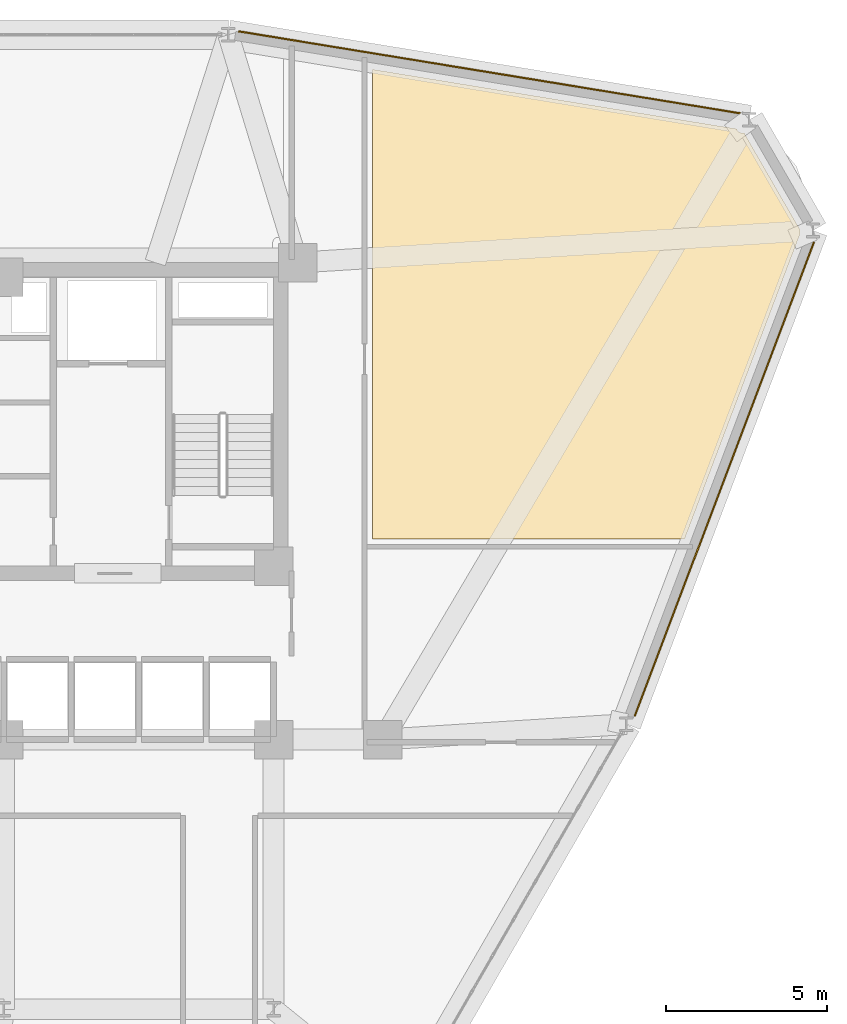
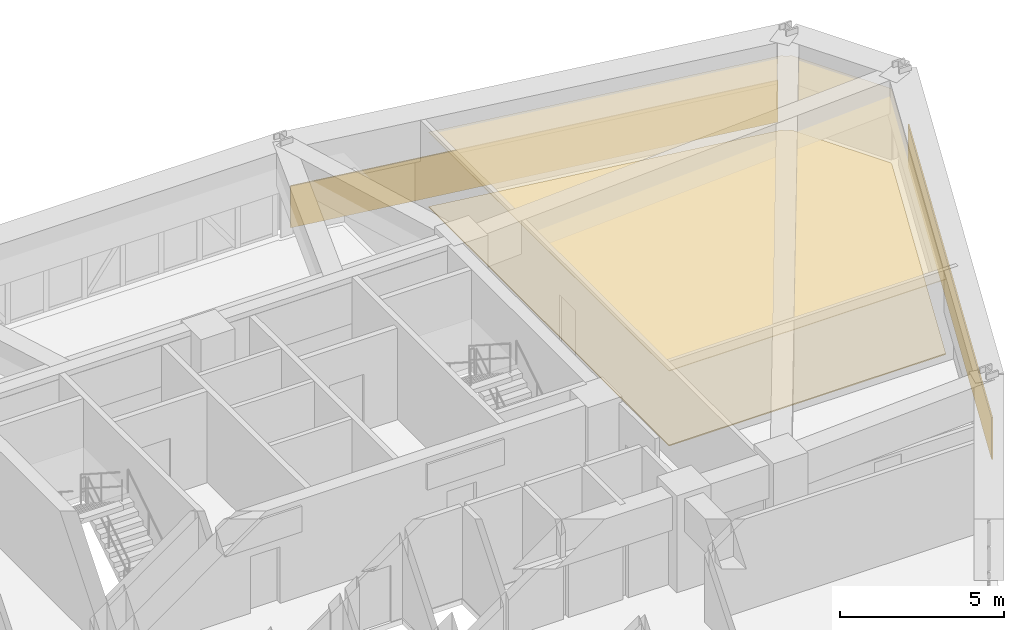
# One storey, part 15 of 15: 4 coverings.
"""IFC4 building model written with IfcOpenShell, lengths in metres."""

from ifc_helpers import new_model, si_unit, derived_unit, direction, frame, origin, place, context, subcontext, project, spatial, polyline, outline, extrude, material, layer, layer_set, type_object, element, save


model = new_model("IFC4")

# Units and contexts
model_context = context("Model", 3, precision=1e-05, world=origin(), true_north=direction((0.0, 1.0)))
body_context = subcontext(model_context, "Body", "Model", "MODEL_VIEW")
ifc_project = project(units=[si_unit("LENGTHUNIT", "METRE"), si_unit("AREAUNIT", "SQUARE_METRE"), si_unit("VOLUMEUNIT", "CUBIC_METRE"), si_unit("PLANEANGLEUNIT", "RADIAN"), si_unit("MASSUNIT", "GRAM", prefix="KILO"), derived_unit("THERMALTRANSMITTANCEUNIT", [(si_unit("POWERUNIT", "WATT"), 1), (si_unit("LENGTHUNIT", "METRE"), -2), (si_unit("THERMODYNAMICTEMPERATUREUNIT", "KELVIN"), -1)])], contexts=[model_context])

# Site, building, storey
site_placement = place(None, origin())
site = spatial("IfcSite", under=ifc_project, at=site_placement, CompositionType="ELEMENT")
building_placement = place(site_placement, origin())
building = spatial("IfcBuilding", under=site, at=building_placement, Name="Korsvarv Bourse and Concert Hall", CompositionType="ELEMENT")
storey_placement = place(building_placement, frame((0.0, 0.0, 117.0)))
storey = spatial("IfcBuildingStorey", under=building, at=storey_placement, Name="L29", CompositionType="ELEMENT", Elevation=117.0)

# Coverings
ifc_material_1 = material(Name="Perforated mineral-wool and birch acoustic baffle ceiling", Category="wood")
ifc_layer_1 = layer(ifc_material_1, 0.02490234375)
ifc_layer_set_1 = layer_set([ifc_layer_1], Name="Perforated mineral-wool and birch acoustic baffle ceiling")
covering_type_1 = type_object("IfcCoveringType", Name="COV-CEIL-1", PredefinedType="CEILING", material=ifc_layer_set_1)
covering_1_placement = place(storey_placement, frame((0.0, 0.0, 2.780029296875)))
element("IfcCovering", 1, at=covering_1_placement, inside=storey, type_object=covering_type_1, Name="L29 acoustic baffle ceiling 1", PredefinedType="CEILING", context=body_context, shape_type="SweptSolid", body=[
    extrude(outline(polyline([(58.816650390625, 51.41259765625), (58.830810546875, 51.379150390625), (58.851318359375, 51.349365234375), (58.877685546875, 51.324462890625), (58.908203125, 51.304931640625), (58.942138671875, 51.292236328125), (58.977783203125, 51.28662109375), (59.052490234375, 51.2822265625), (60.7958984375, 48.262451171875), (60.7958984375, 48.15771484375), (57.199951171875, 38.64990234375), (47.47998046875, 38.64990234375), (47.47998046875, 53.265869140625), (58.816650390625, 51.41259765625)])), origin(), (0.0, 0.0, 1.0), 0.02490234375),
])
ifc_material_2 = material(Name="Warm iron-oxide extruded terracotta rainscreen tile", Category="ceramic")
ifc_layer_2 = layer(ifc_material_2, 0.044921875)
ifc_layer_set_2 = layer_set([ifc_layer_2], Name="Warm iron-oxide extruded terracotta rainscreen tile")
covering_type_2 = type_object("IfcCoveringType", Name="COV-CLD-TC", PredefinedType="CLADDING", material=ifc_layer_set_2)
covering_2_placement = place(storey_placement, origin())
element("IfcCovering", 2, at=covering_2_placement, inside=storey, type_object=covering_type_2, Name="L29 fluted terracotta cladding panel EW-L29-B02", PredefinedType="CLADDING", context=body_context, shape_type="SweptSolid", body=[
    extrude(outline(polyline([(58.936279296875, 51.874755859375), (43.302734375, 54.429931640625), (43.31005859375, 54.474365234375), (58.943603515625, 51.919189453125), (58.936279296875, 51.874755859375)])), origin(), (0.0, 0.0, 1.0), 1.550048828125),
])
covering_3_placement = place(storey_placement, origin())
element("IfcCovering", 3, at=covering_3_placement, inside=storey, type_object=covering_type_2, Name="L29 fluted terracotta cladding panel EW-L29-B12", PredefinedType="CLADDING", context=body_context, shape_type="SweptSolid", body=[
    extrude(outline(polyline([(55.623291015625, 33.13916015625), (61.205078125, 47.896240234375), (61.2470703125, 47.88037109375), (55.66552734375, 33.123046875), (55.623291015625, 33.13916015625)])), origin(), (0.0, 0.0, 1.0), 1.550048828125),
])
ifc_material_3 = material(Name="Calcium-sulphate raised access trading floor with Nordic oak top", Category="wood")
ifc_layer_3 = layer(ifc_material_3, 0.0400390625)
ifc_layer_set_3 = layer_set([ifc_layer_3], Name="Calcium-sulphate raised access trading floor with Nordic oak top")
covering_type_3 = type_object("IfcCoveringType", Name="COV-FLOR-1", PredefinedType="FLOORING", material=ifc_layer_set_3)
covering_4_placement = place(storey_placement, origin())
element("IfcCovering", 4, at=covering_4_placement, inside=storey, type_object=covering_type_3, Name="L29 raised access oak floor finish 1", PredefinedType="FLOORING", context=body_context, shape_type="SweptSolid", body=[
    extrude(outline(polyline([(58.816650390625, 51.41259765625), (58.830810546875, 51.379150390625), (58.851318359375, 51.349365234375), (58.877685546875, 51.324462890625), (58.908203125, 51.304931640625), (58.942138671875, 51.292236328125), (58.977783203125, 51.28662109375), (59.052490234375, 51.2822265625), (60.7958984375, 48.262451171875), (60.7958984375, 48.15771484375), (57.199951171875, 38.64990234375), (47.47998046875, 38.64990234375), (47.47998046875, 53.265869140625), (58.816650390625, 51.41259765625)])), origin(), (0.0, 0.0, 1.0), 0.0400390625),
])

save(model, "model.ifc")
